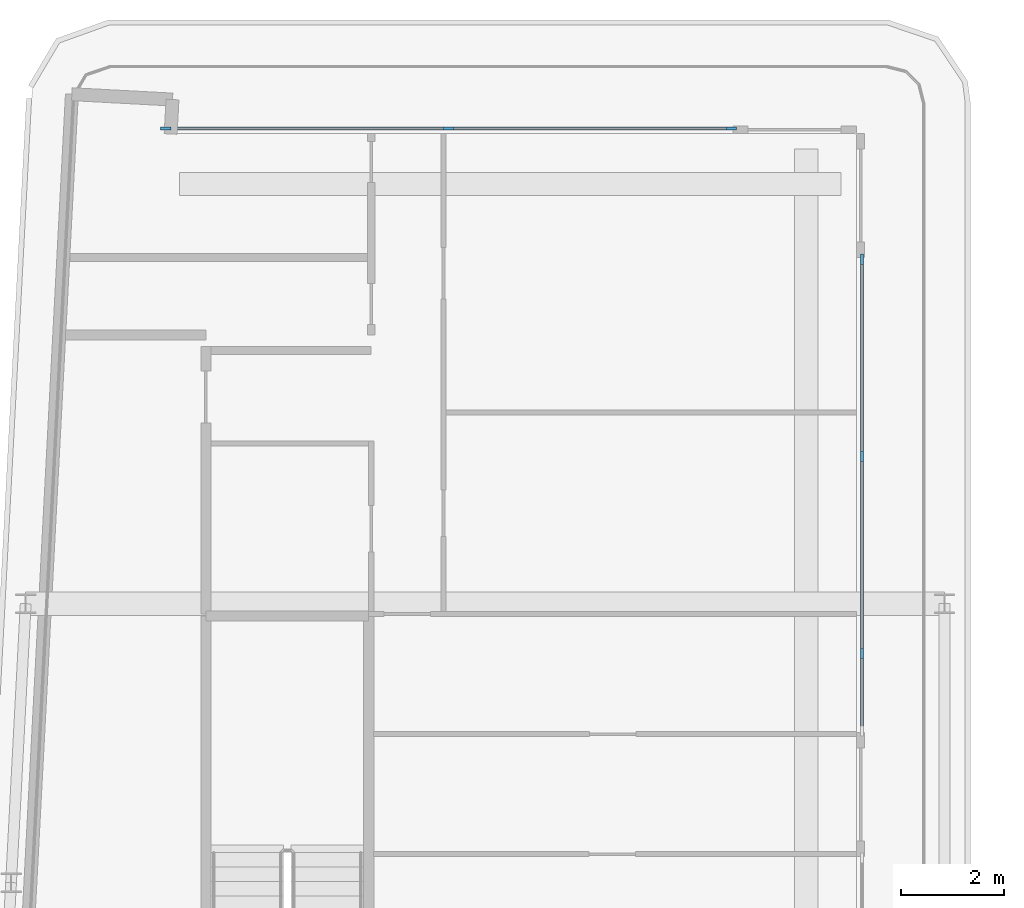
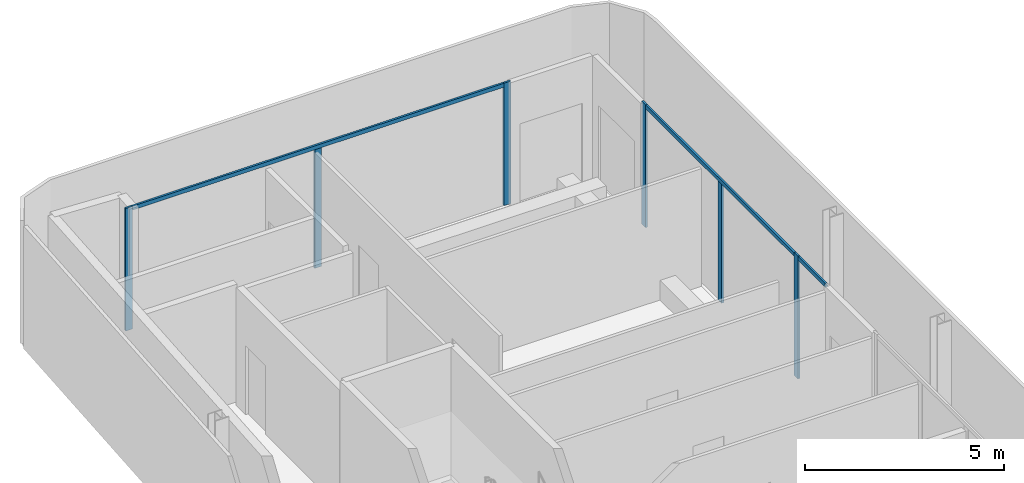
# One storey, part 8 of 21: 9 members, 3 elements without a shape of their own.
"""IFC4 building model written with IfcOpenShell, lengths in metres."""

from ifc_helpers import new_model, si_unit, direction, frame, origin, origin_2d, place, context, subcontext, project, spatial, rectangle, extrude, material, layer, layer_set, material_profile, profile_set, type_object, element, aggregate, save


model = new_model("IFC4")

# Units and contexts
model_context = context("Model", 3, precision=1e-05, world=origin(), true_north=direction((0.0, 1.0)))
body_context = subcontext(model_context, "Body", "Model", "MODEL_VIEW")
ifc_project = project(units=[si_unit("LENGTHUNIT", "METRE"), si_unit("AREAUNIT", "SQUARE_METRE"), si_unit("VOLUMEUNIT", "CUBIC_METRE"), si_unit("PLANEANGLEUNIT", "RADIAN"), si_unit("MASSUNIT", "GRAM", prefix="KILO")], contexts=[model_context])

# Site, building, storey
site_placement = place(None, origin())
site = spatial("IfcSite", under=ifc_project, at=site_placement, CompositionType="ELEMENT")
building_placement = place(site_placement, origin())
building = spatial("IfcBuilding", under=site, at=building_placement, Name="Kheshtan School and Residences Tower", CompositionType="ELEMENT")
storey_placement = place(building_placement, frame((0.0, 0.0, 298.10009765625)))
storey = spatial("IfcBuildingStorey", under=building, at=storey_placement, Name="L70", CompositionType="ELEMENT", Elevation=298.10009765625)

# Curtain wall, members
ifc_material_1 = material(Name="Clear low-e glass in thermally broken aluminium frame", Category="aluminium")
ifc_layer = layer(ifc_material_1, 0.199951171875)
ifc_layer_set = layer_set([ifc_layer], Name="Curtain wall CW-L")
curtain_wall_type = type_object("IfcCurtainWallType", Name="Curtain wall CW-L", PredefinedType="NOTDEFINED", material=ifc_layer_set)
curtain_wall_1_placement = place(storey_placement, origin())
curtain_wall_1 = element("IfcCurtainWall", 1, at=curtain_wall_1_placement, inside=storey, type_object=curtain_wall_type, Name="Curtain wall CWL7", PredefinedType="NOTDEFINED")
ifc_material_2 = material(Name="Thermally broken aluminium, dark bronze anodised", Category="aluminium")
ifc_material_profile_1 = material_profile(ifc_material_2, rectangle(XDim=0.06005859375, YDim=0.199951171875, at=origin_2d()), Name="CW-L mullion 60x200")
ifc_profile_set_1 = profile_set([ifc_material_profile_1], Name="Thermally broken aluminium, dark bronze anodised")
member_type_1 = type_object("IfcMemberType", Name="CW-L mullion 60x200", PredefinedType="MULLION", material=ifc_profile_set_1)
member_1_placement = place(storey_placement, frame((32.52197265625, 98.0, 0.0), z_axis=(0.0, 0.0, 1.0), x_axis=(0.0, 1.0, 0.0)))
member_1 = element("IfcMember", 2, at=member_1_placement, type_object=member_type_1, Name="CWL7 mullion 1", PredefinedType="MULLION", context=body_context, shape_type="SweptSolid", body=[
    extrude(rectangle(XDim=0.06005859375, YDim=0.199951171875, at=origin_2d()), origin(), (0.0, 0.0, 1.0), 3.75),
])
member_2_placement = place(storey_placement, frame((37.99609375, 98.0, 0.0), z_axis=(0.0, 0.0, 1.0), x_axis=(0.0, 1.0, 0.0)))
member_2 = element("IfcMember", 3, at=member_2_placement, type_object=member_type_1, Name="CWL7 mullion 2", PredefinedType="MULLION", context=body_context, shape_type="SweptSolid", body=[
    extrude(rectangle(XDim=0.06005859375, YDim=0.199951171875, at=origin_2d()), origin(), (0.0, 0.0, 1.0), 3.6298828125),
])
member_3_placement = place(storey_placement, frame((43.469970703125, 98.0, 0.0), z_axis=(0.0, 0.0, 1.0), x_axis=(0.0, 1.0, 0.0)))
member_3 = element("IfcMember", 4, at=member_3_placement, type_object=member_type_1, Name="CWL7 mullion 3", PredefinedType="MULLION", context=body_context, shape_type="SweptSolid", body=[
    extrude(rectangle(XDim=0.06005859375, YDim=0.199951171875, at=origin_2d()), origin(), (0.0, 0.0, 1.0), 3.75),
])

curtain_wall_2_placement = place(storey_placement, origin())
curtain_wall_2 = element("IfcCurtainWall", 5, at=curtain_wall_2_placement, inside=storey, type_object=curtain_wall_type, Name="Curtain wall CWL8", PredefinedType="NOTDEFINED")
member_4_placement = place(storey_placement, frame((46.0, 95.469970703125, 0.0), z_axis=(0.0, 0.0, 1.0), x_axis=(1.0, 0.0, 0.0)))
member_4 = element("IfcMember", 6, at=member_4_placement, type_object=member_type_1, Name="CWL8 mullion 1", PredefinedType="MULLION", context=body_context, shape_type="SweptSolid", body=[
    extrude(rectangle(XDim=0.06005859375, YDim=0.199951171875, at=origin_2d()), origin(), (0.0, 0.0, 1.0), 3.75),
])
member_5_placement = place(storey_placement, frame((46.0, 91.653076171875, 0.0), z_axis=(0.0, 0.0, 1.0), x_axis=(1.0, 0.0, 0.0)))
member_5 = element("IfcMember", 7, at=member_5_placement, type_object=member_type_1, Name="CWL8 mullion 2", PredefinedType="MULLION", context=body_context, shape_type="SweptSolid", body=[
    extrude(rectangle(XDim=0.06005859375, YDim=0.199951171875, at=origin_2d()), origin(), (0.0, 0.0, 1.0), 3.6298828125),
])
member_6_placement = place(storey_placement, frame((46.0, 87.8359375, 0.0), z_axis=(0.0, 0.0, 1.0), x_axis=(1.0, 0.0, 0.0)))
member_6 = element("IfcMember", 8, at=member_6_placement, type_object=member_type_1, Name="CWL8 mullion 3", PredefinedType="MULLION", context=body_context, shape_type="SweptSolid", body=[
    extrude(rectangle(XDim=0.06005859375, YDim=0.199951171875, at=origin_2d()), origin(), (0.0, 0.0, 1.0), 3.75),
])

# Member
ifc_material_profile_2 = material_profile(ifc_material_2, rectangle(XDim=0.06005859375, YDim=0.1201171875, at=origin_2d()), Name="CW-L transom 60x120")
ifc_profile_set_2 = profile_set([ifc_material_profile_2], Name="Thermally broken aluminium, dark bronze anodised")
member_type_2 = type_object("IfcMemberType", Name="CW-L transom 60x120", PredefinedType="USERDEFINED", material=ifc_profile_set_2)
member_7_placement = place(storey_placement, frame((32.552001953125, 98.0, 3.68994140625), z_axis=(1.0, 0.0, 0.0), x_axis=(0.0, 1.0, 0.0)))
member_7 = element("IfcMember", 9, at=member_7_placement, type_object=member_type_2, Name="CWL7 transom 1", ObjectType="TRANSOM", PredefinedType="USERDEFINED", context=body_context, shape_type="SweptSolid", body=[
    extrude(rectangle(XDim=0.06005859375, YDim=0.1201171875, at=origin_2d()), origin(), (0.0, 0.0, 1.0), 10.887939453125),
])

aggregate(curtain_wall_1, [member_1, member_2, member_3, member_7])

member_8_placement = place(storey_placement, frame((46.0, 95.43994140625, 3.68994140625), z_axis=(0.0, -1.0, 0.0), x_axis=(1.0, 0.0, 0.0)))
member_8 = element("IfcMember", 10, at=member_8_placement, type_object=member_type_2, Name="CWL8 transom 1", ObjectType="TRANSOM", PredefinedType="USERDEFINED", context=body_context, shape_type="SweptSolid", body=[
    extrude(rectangle(XDim=0.06005859375, YDim=0.1201171875, at=origin_2d()), origin(), (0.0, 0.0, 1.0), 7.573974609375),
])

aggregate(curtain_wall_2, [member_4, member_5, member_6, member_8])

# Curtain wall, member
curtain_wall_3_placement = place(storey_placement, origin())
curtain_wall_3 = element("IfcCurtainWall", 11, at=curtain_wall_3_placement, inside=storey, type_object=curtain_wall_type, Name="Curtain wall CWL8a", PredefinedType="NOTDEFINED")
member_9_placement = place(storey_placement, frame((46.0, 87.805908203125, 3.68994140625), z_axis=(0.0, -1.0, 0.0), x_axis=(1.0, 0.0, 0.0)))
member_9 = element("IfcMember", 12, at=member_9_placement, type_object=member_type_2, Name="CWL8a transom 1", ObjectType="TRANSOM", PredefinedType="USERDEFINED", context=body_context, shape_type="SweptSolid", body=[
    extrude(rectangle(XDim=0.06005859375, YDim=0.1201171875, at=origin_2d()), origin(), (0.0, 0.0, 1.0), 1.43994140625),
])
aggregate(curtain_wall_3, [member_9])

save(model, "model.ifc")
